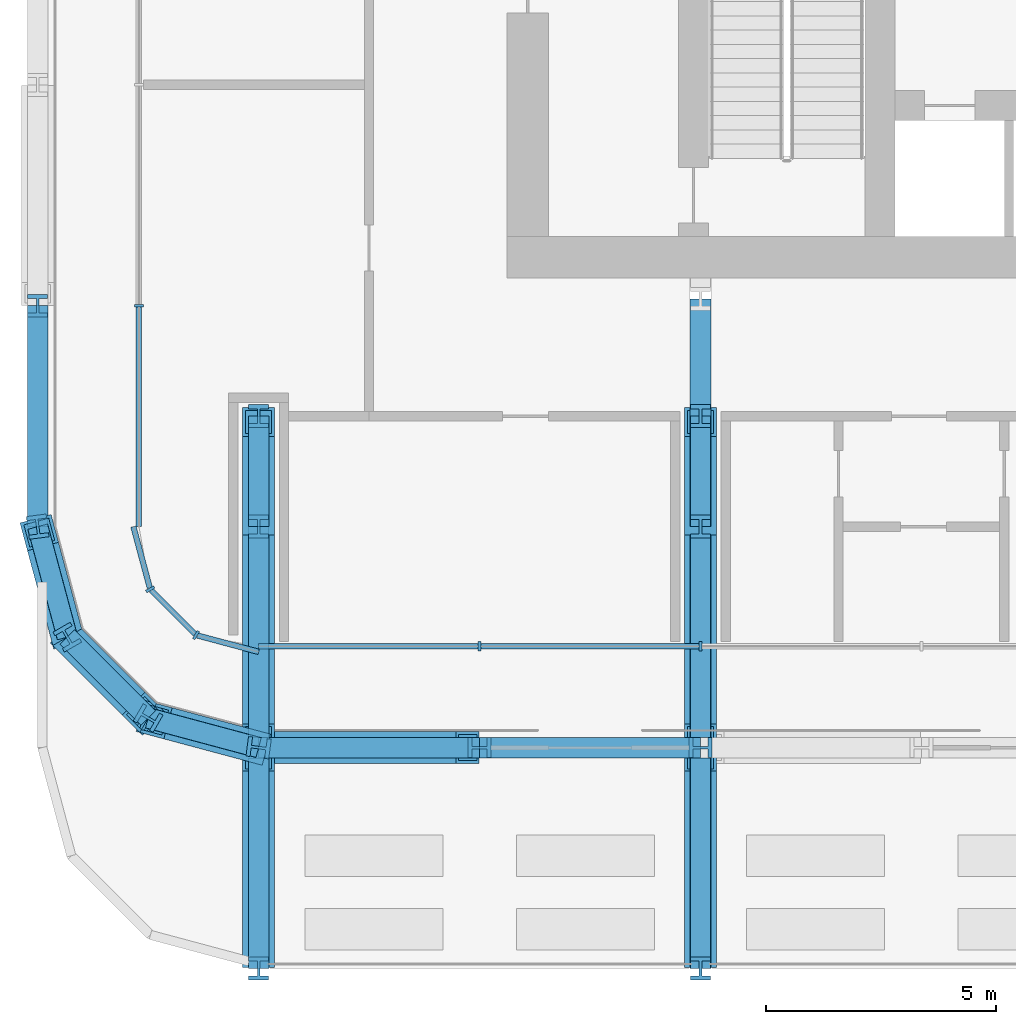
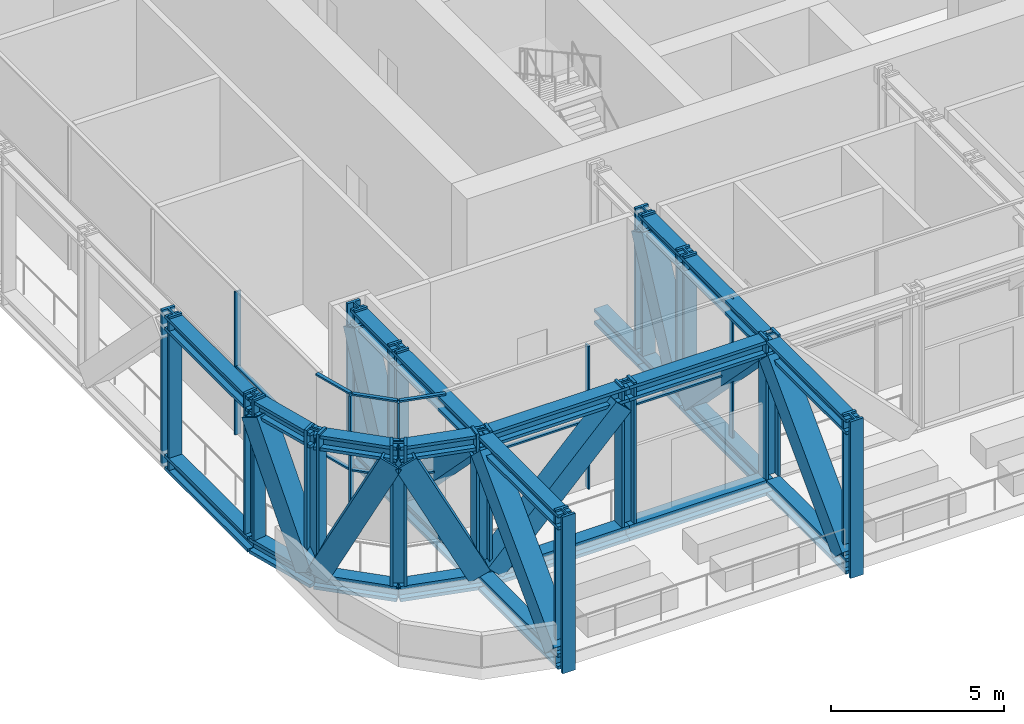
# One storey, part 1 of 23: 62 members, 3 elements without a shape of their own.
"""IFC4 building model written with IfcOpenShell, lengths in metres."""

from ifc_helpers import new_model, si_unit, direction, frame, origin, origin_2d, place, context, subcontext, project, spatial, rectangle, hollow_rectangle, i_section, extrude, material, layer, layer_set, material_profile, profile_set, type_object, element, aggregate, save


model = new_model("IFC4")

# Units and contexts
model_context = context("Model", 3, precision=1e-05, world=origin(), true_north=direction((0.0, 1.0)))
body_context = subcontext(model_context, "Body", "Model", "MODEL_VIEW")
ifc_project = project(units=[si_unit("LENGTHUNIT", "METRE"), si_unit("AREAUNIT", "SQUARE_METRE"), si_unit("VOLUMEUNIT", "CUBIC_METRE"), si_unit("PLANEANGLEUNIT", "RADIAN"), si_unit("MASSUNIT", "GRAM", prefix="KILO")], contexts=[model_context])

# Site, building, storey
site_placement = place(None, origin())
site = spatial("IfcSite", under=ifc_project, at=site_placement, CompositionType="ELEMENT")
building_placement = place(site_placement, origin())
building = spatial("IfcBuilding", under=site, at=building_placement, Name="Madar Terraces", CompositionType="ELEMENT")
storey_placement = place(building_placement, frame((0.0, 0.0, 83.800048828125)))
storey = spatial("IfcBuildingStorey", under=building, at=storey_placement, Name="L21", CompositionType="ELEMENT", Elevation=83.800048828125)

# Members
ifc_material_1 = material(Name="Steel ASTM A913 Grade 65", Category="steel")
ifc_material_profile_1 = material_profile(ifc_material_1, i_section(OverallWidth=0.449462890625, OverallDepth=0.548583984375, WebThickness=0.07177734375, FlangeThickness=0.11474609375, at=origin_2d()), Name="W14x665")
ifc_profile_set_1 = profile_set([ifc_material_profile_1], Name="Steel ASTM A913 Grade 65")
member_type_1 = type_object("IfcMemberType", Name="BC3 W14x665", PredefinedType="CHORD", material=ifc_profile_set_1)
member_1_placement = place(storey_placement, frame((9.60009765625, 4.800048828125, -0.145751953125), z_axis=(1.0, 0.0, 0.0), x_axis=(0.0, 1.0, 0.0)))
element("IfcMember", 1, at=member_1_placement, inside=storey, type_object=member_type_1, Name="Exoskeleton truss ring bottom chord BC3", PredefinedType="CHORD", context=body_context, shape_type="SweptSolid", body=[
    extrude(i_section(OverallWidth=0.449462890625, OverallDepth=0.548583984375, WebThickness=0.07177734375, FlangeThickness=0.11474609375, at=origin_2d()), origin(), (0.0, 0.0, 1.0), 4.7998046875),
])
member_2_placement = place(storey_placement, frame((14.39990234375, 4.800048828125, -0.145751953125), z_axis=(1.0, 0.0, 0.0), x_axis=(0.0, 1.0, 0.0)))
element("IfcMember", 2, at=member_2_placement, inside=storey, type_object=member_type_1, Name="Exoskeleton truss ring bottom chord BC3", PredefinedType="CHORD", context=body_context, shape_type="SweptSolid", body=[
    extrude(i_section(OverallWidth=0.449462890625, OverallDepth=0.548583984375, WebThickness=0.07177734375, FlangeThickness=0.11474609375, at=origin_2d()), origin(), (0.0, 0.0, 1.0), 4.800048828125),
])
member_3_placement = place(storey_placement, frame((4.800048828125, 14.39990234375, -0.145751953125), z_axis=(0.0, -1.0, 0.0), x_axis=(1.0, 0.0, 0.0)))
element("IfcMember", 3, at=member_3_placement, inside=storey, type_object=member_type_1, Name="Exoskeleton truss ring bottom chord BC3", PredefinedType="CHORD", context=body_context, shape_type="SweptSolid", body=[
    extrude(i_section(OverallWidth=0.449462890625, OverallDepth=0.548583984375, WebThickness=0.07177734375, FlangeThickness=0.11474609375, at=origin_2d()), origin(), (0.0, 0.0, 1.0), 4.7998046875),
])
member_4_placement = place(storey_placement, frame((4.800048828125, 9.60009765625, -0.145751953125), z_axis=(0.258799930484, -0.965930947833, 0.0), x_axis=(0.965930947833, 0.258799930484, 0.0)))
element("IfcMember", 4, at=member_4_placement, inside=storey, type_object=member_type_1, Name="Exoskeleton truss ring bottom chord BC3", PredefinedType="CHORD", context=body_context, shape_type="SweptSolid", body=[
    extrude(i_section(OverallWidth=0.449462890625, OverallDepth=0.548583984375, WebThickness=0.07177734375, FlangeThickness=0.11474609375, at=origin_2d()), origin(), (0.0, 0.0, 1.0), 2.48486328125),
])
member_5_placement = place(storey_placement, frame((5.443115234375, 7.199951171875, -0.145751953125), z_axis=(0.707106781187, -0.707106781187, 0.0), x_axis=(0.707106781187, 0.707106781187, 0.0)))
element("IfcMember", 5, at=member_5_placement, inside=storey, type_object=member_type_1, Name="Exoskeleton truss ring bottom chord BC3", PredefinedType="CHORD", context=body_context, shape_type="SweptSolid", body=[
    extrude(i_section(OverallWidth=0.449462890625, OverallDepth=0.548583984375, WebThickness=0.07177734375, FlangeThickness=0.11474609375, at=origin_2d()), origin(), (0.0, 0.0, 1.0), 2.484619140625),
])
member_6_placement = place(storey_placement, frame((7.199951171875, 5.443115234375, -0.145751953125), z_axis=(0.965930947833, -0.258799930484, 0.0), x_axis=(0.258799930484, 0.965930947833, 0.0)))
element("IfcMember", 6, at=member_6_placement, inside=storey, type_object=member_type_1, Name="Exoskeleton truss ring bottom chord BC3", PredefinedType="CHORD", context=body_context, shape_type="SweptSolid", body=[
    extrude(i_section(OverallWidth=0.449462890625, OverallDepth=0.548583984375, WebThickness=0.07177734375, FlangeThickness=0.11474609375, at=origin_2d()), origin(), (0.0, 0.0, 1.0), 2.48486328125),
])
for number, where, z_axis, x_axis, name in (
    (7, (9.60009765625, 0.0, -0.145751953125), (0.0, 1.0, 0.0), (-1.0, 0.0, 0.0), "Exoskeleton truss cross S9.6 bottom chord BC3"),
    (8, (9.60009765625, 5.02490234375, -0.145751953125), (0.0, 1.0, 0.0), (-1.0, 0.0, 0.0), "Exoskeleton truss cross S9.6 bottom chord BC3"),
):
    element("IfcMember", number, at=place(storey_placement, frame(where, z_axis=z_axis, x_axis=x_axis)), inside=storey, type_object=member_type_1, Name=name, PredefinedType="CHORD", context=body_context, shape_type="SweptSolid", body=[
        extrude(i_section(OverallWidth=0.449462890625, OverallDepth=0.548583984375, WebThickness=0.07177734375, FlangeThickness=0.11474609375, at=origin_2d()), origin(), (0.0, 0.0, 1.0), 4.5751953125),
    ])
member_7_placement = place(storey_placement, frame((9.60009765625, 9.60009765625, -0.145751953125), z_axis=(0.0, 1.0, 0.0), x_axis=(-1.0, 0.0, 0.0)))
element("IfcMember", 9, at=member_7_placement, inside=storey, type_object=member_type_1, Name="Exoskeleton truss cross S9.6 bottom chord BC3", PredefinedType="CHORD", context=body_context, shape_type="SweptSolid", body=[
    extrude(i_section(OverallWidth=0.449462890625, OverallDepth=0.548583984375, WebThickness=0.07177734375, FlangeThickness=0.11474609375, at=origin_2d()), origin(), (0.0, 0.0, 1.0), 2.39990234375),
])
for number, where, z_axis, x_axis, name in (
    (10, (19.199951171875, 0.0, -0.145751953125), (0.0, 1.0, 0.0), (-1.0, 0.0, 0.0), "Exoskeleton truss cross S19.2 bottom chord BC3"),
    (11, (19.199951171875, 5.02490234375, -0.145751953125), (0.0, 1.0, 0.0), (-1.0, 0.0, 0.0), "Exoskeleton truss cross S19.2 bottom chord BC3"),
):
    element("IfcMember", number, at=place(storey_placement, frame(where, z_axis=z_axis, x_axis=x_axis)), inside=storey, type_object=member_type_1, Name=name, PredefinedType="CHORD", context=body_context, shape_type="SweptSolid", body=[
        extrude(i_section(OverallWidth=0.449462890625, OverallDepth=0.548583984375, WebThickness=0.07177734375, FlangeThickness=0.11474609375, at=origin_2d()), origin(), (0.0, 0.0, 1.0), 4.5751953125),
    ])
member_8_placement = place(storey_placement, frame((19.199951171875, 9.60009765625, -0.145751953125), z_axis=(0.0, 1.0, 0.0), x_axis=(-1.0, 0.0, 0.0)))
element("IfcMember", 12, at=member_8_placement, inside=storey, type_object=member_type_1, Name="Exoskeleton truss cross S19.2 bottom chord BC3", PredefinedType="CHORD", context=body_context, shape_type="SweptSolid", body=[
    extrude(i_section(OverallWidth=0.449462890625, OverallDepth=0.548583984375, WebThickness=0.07177734375, FlangeThickness=0.11474609375, at=origin_2d()), origin(), (0.0, 0.0, 1.0), 2.39990234375),
])
member_9_placement = place(storey_placement, frame((19.199951171875, 12.0, -0.145751953125), z_axis=(0.0, 1.0, 0.0), x_axis=(-1.0, 0.0, 0.0)))
element("IfcMember", 13, at=member_9_placement, inside=storey, type_object=member_type_1, Name="Exoskeleton truss cross S19.2 bottom chord BC3", PredefinedType="CHORD", context=body_context, shape_type="SweptSolid", body=[
    extrude(i_section(OverallWidth=0.449462890625, OverallDepth=0.548583984375, WebThickness=0.07177734375, FlangeThickness=0.11474609375, at=origin_2d()), origin(), (0.0, 0.0, 1.0), 2.550048828125),
])

# Curtain wall, members
ifc_material_2 = material(Name="Glass, ceramic frit dark grey, with black aluminium frame", Category="aluminium")
ifc_layer = layer(ifc_material_2, 0.199951171875)
ifc_layer_set = layer_set([ifc_layer], Name="Facade curtain wall, tall glazing")
curtain_wall_type = type_object("IfcCurtainWallType", Name="Facade curtain wall, tall glazing", PredefinedType="NOTDEFINED", material=ifc_layer_set)
curtain_wall_1_placement = place(storey_placement, origin())
curtain_wall_1 = element("IfcCurtainWall", 14, at=curtain_wall_1_placement, inside=storey, type_object=curtain_wall_type, Name="Outer skin curtain wall south bay 1", PredefinedType="NOTDEFINED")
ifc_material_3 = material(Name="Aluminium, black anodised", Category="aluminium")
ifc_material_profile_2 = material_profile(ifc_material_3, rectangle(XDim=0.199951171875, YDim=0.06005859375, at=origin_2d()), Name="Facade mullion 60x200")
ifc_profile_set_2 = profile_set([ifc_material_profile_2], Name="Aluminium, black anodised")
member_type_2 = type_object("IfcMemberType", Name="Facade mullion 60x200", PredefinedType="MULLION", material=ifc_profile_set_2)
member_10_placement = place(storey_placement, frame((14.39990234375, 7.0, 0.0), z_axis=(0.0, 0.0, 1.0), x_axis=(0.0, 1.0, 0.0)))
member_10 = element("IfcMember", 15, at=member_10_placement, type_object=member_type_2, Name="Mullion 1", PredefinedType="MULLION", context=body_context, shape_type="SweptSolid", body=[
    extrude(rectangle(XDim=0.199951171875, YDim=0.06005859375, at=origin_2d()), origin(), (0.0, 0.0, 1.0), 5.0400390625),
])
member_11_placement = place(storey_placement, frame((19.199951171875, 7.0, 0.0), z_axis=(0.0, 0.0, 1.0), x_axis=(0.0, 1.0, 0.0)))
member_11 = element("IfcMember", 16, at=member_11_placement, type_object=member_type_2, Name="Mullion 2", PredefinedType="MULLION", context=body_context, shape_type="SweptSolid", body=[
    extrude(rectangle(XDim=0.199951171875, YDim=0.06005859375, at=origin_2d()), origin(), (0.0, 0.0, 1.0), 5.0400390625),
])

# Curtain wall, member
curtain_wall_2_placement = place(storey_placement, origin())
curtain_wall_2 = element("IfcCurtainWall", 17, at=curtain_wall_2_placement, inside=storey, type_object=curtain_wall_type, Name="Outer skin curtain wall west bay 1", PredefinedType="NOTDEFINED")
member_12_placement = place(storey_placement, frame((7.0, 14.39990234375, 0.0), z_axis=(0.0, 0.0, 1.0), x_axis=(1.0, 0.0, 0.0)))
member_12 = element("IfcMember", 18, at=member_12_placement, type_object=member_type_2, Name="Mullion 7", PredefinedType="MULLION", context=body_context, shape_type="SweptSolid", body=[
    extrude(rectangle(XDim=0.199951171875, YDim=0.06005859375, at=origin_2d()), origin(), (0.0, 0.0, 1.0), 5.0400390625),
])

# Curtain wall, members
curtain_wall_3_placement = place(storey_placement, origin())
curtain_wall_3 = element("IfcCurtainWall", 19, at=curtain_wall_3_placement, inside=storey, type_object=curtain_wall_type, Name="Outer skin curtain wall south-west corner", PredefinedType="NOTDEFINED")
member_13_placement = place(storey_placement, frame((7.244384765625, 8.239990234375, 0.0), z_axis=(0.0, 0.0, 1.0), x_axis=(0.866025386925, 0.500000029202, 0.0)))
member_13 = element("IfcMember", 20, at=member_13_placement, type_object=member_type_2, Name="Mullion 1", PredefinedType="MULLION", context=body_context, shape_type="SweptSolid", body=[
    extrude(rectangle(XDim=0.199951171875, YDim=0.06005859375, at=origin_2d()), origin(), (0.0, 0.0, 1.0), 5.0400390625),
])
member_14_placement = place(storey_placement, frame((8.239990234375, 7.244384765625, 0.0), z_axis=(0.0, 0.0, 1.0), x_axis=(0.500000029202, 0.866025386925, 0.0)))
member_14 = element("IfcMember", 21, at=member_14_placement, type_object=member_type_2, Name="Mullion 2", PredefinedType="MULLION", context=body_context, shape_type="SweptSolid", body=[
    extrude(rectangle(XDim=0.199951171875, YDim=0.06005859375, at=origin_2d()), origin(), (0.0, 0.0, 1.0), 5.0400390625),
])

# Member
ifc_material_4 = material(Name="Aluminium, black anodised", Category="aluminium")
ifc_material_profile_3 = material_profile(ifc_material_4, rectangle(XDim=0.1201171875, YDim=0.06005859375, at=origin_2d()), Name="Facade transom 60x120")
ifc_profile_set_3 = profile_set([ifc_material_profile_3], Name="Aluminium, black anodised")
member_type_3 = type_object("IfcMemberType", Name="Facade transom 60x120", PredefinedType="USERDEFINED", material=ifc_profile_set_3)
member_15_placement = place(storey_placement, frame((9.60009765625, 7.0, 2.39990234375), z_axis=(1.0, 0.0, 0.0), x_axis=(0.0, 1.0, 0.0)))
member_15 = element("IfcMember", 22, at=member_15_placement, type_object=member_type_3, Name="Transom 2", ObjectType="TRANSOM", PredefinedType="USERDEFINED", context=body_context, shape_type="SweptSolid", body=[
    extrude(rectangle(XDim=0.1201171875, YDim=0.06005859375, at=origin_2d()), origin(), (0.0, 0.0, 1.0), 4.77001953125),
])

member_16_placement = place(storey_placement, frame((14.429931640625, 7.0, 2.39990234375), z_axis=(1.0, 0.0, 0.0), x_axis=(0.0, 1.0, 0.0)))
member_16 = element("IfcMember", 23, at=member_16_placement, type_object=member_type_3, Name="Transom 3", ObjectType="TRANSOM", PredefinedType="USERDEFINED", context=body_context, shape_type="SweptSolid", body=[
    extrude(rectangle(XDim=0.1201171875, YDim=0.06005859375, at=origin_2d()), origin(), (0.0, 0.0, 1.0), 4.739990234375),
])

aggregate(curtain_wall_1, [member_10, member_11, member_15, member_16])

member_17_placement = place(storey_placement, frame((7.0, 14.3701171875, 2.39990234375), z_axis=(0.0, -1.0, 0.0), x_axis=(1.0, 0.0, 0.0)))
member_17 = element("IfcMember", 24, at=member_17_placement, type_object=member_type_3, Name="Transom 9", ObjectType="TRANSOM", PredefinedType="USERDEFINED", context=body_context, shape_type="SweptSolid", body=[
    extrude(rectangle(XDim=0.1201171875, YDim=0.06005859375, at=origin_2d()), origin(), (0.0, 0.0, 1.0), 4.77001953125),
])

aggregate(curtain_wall_2, [member_12, member_17])

member_18_placement = place(storey_placement, frame((6.8798828125, 9.60009765625, 5.070068359375), z_axis=(0.258842352791, -0.965919580711, 0.0), x_axis=(0.965919580711, 0.258842352791, 0.0)))
member_18 = element("IfcMember", 25, at=member_18_placement, type_object=member_type_3, Name="Transom 1", ObjectType="TRANSOM", PredefinedType="USERDEFINED", context=body_context, shape_type="SweptSolid", body=[
    extrude(rectangle(XDim=0.1201171875, YDim=0.06005859375, at=origin_2d()), origin(), (0.0, 0.0, 1.0), 1.3779296875),
])

member_19_placement = place(storey_placement, frame((6.8798828125, 9.60009765625, 2.39990234375), z_axis=(0.258842352791, -0.965919580711, 0.0), x_axis=(0.965919580711, 0.258842352791, 0.0)))
member_19 = element("IfcMember", 26, at=member_19_placement, type_object=member_type_3, Name="Transom 2", ObjectType="TRANSOM", PredefinedType="USERDEFINED", context=body_context, shape_type="SweptSolid", body=[
    extrude(rectangle(XDim=0.1201171875, YDim=0.06005859375, at=origin_2d()), origin(), (0.0, 0.0, 1.0), 1.3779296875),
])

member_20_placement = place(storey_placement, frame((7.265625, 8.21875, 5.070068359375), z_axis=(0.707106781187, -0.707106781187, 0.0), x_axis=(0.707106781187, 0.707106781187, 0.0)))
member_20 = element("IfcMember", 27, at=member_20_placement, type_object=member_type_3, Name="Transom 3", ObjectType="TRANSOM", PredefinedType="USERDEFINED", context=body_context, shape_type="SweptSolid", body=[
    extrude(rectangle(XDim=0.1201171875, YDim=0.06005859375, at=origin_2d()), origin(), (0.0, 0.0, 1.0), 1.347900390625),
])

member_21_placement = place(storey_placement, frame((7.265625, 8.21875, 2.39990234375), z_axis=(0.707106781187, -0.707106781187, 0.0), x_axis=(0.707106781187, 0.707106781187, 0.0)))
member_21 = element("IfcMember", 28, at=member_21_placement, type_object=member_type_3, Name="Transom 4", ObjectType="TRANSOM", PredefinedType="USERDEFINED", context=body_context, shape_type="SweptSolid", body=[
    extrude(rectangle(XDim=0.1201171875, YDim=0.06005859375, at=origin_2d()), origin(), (0.0, 0.0, 1.0), 1.347900390625),
])

member_22_placement = place(storey_placement, frame((8.26904296875, 7.236572265625, 5.070068359375), z_axis=(0.965919580711, -0.258842352791, 0.0), x_axis=(0.258842352791, 0.965919580711, 0.0)))
member_22 = element("IfcMember", 29, at=member_22_placement, type_object=member_type_3, Name="Transom 5", ObjectType="TRANSOM", PredefinedType="USERDEFINED", context=body_context, shape_type="SweptSolid", body=[
    extrude(rectangle(XDim=0.1201171875, YDim=0.06005859375, at=origin_2d()), origin(), (0.0, 0.0, 1.0), 1.3779296875),
])

member_23_placement = place(storey_placement, frame((8.26904296875, 7.236572265625, 2.39990234375), z_axis=(0.965919580711, -0.258842352791, 0.0), x_axis=(0.258842352791, 0.965919580711, 0.0)))
member_23 = element("IfcMember", 30, at=member_23_placement, type_object=member_type_3, Name="Transom 6", ObjectType="TRANSOM", PredefinedType="USERDEFINED", context=body_context, shape_type="SweptSolid", body=[
    extrude(rectangle(XDim=0.1201171875, YDim=0.06005859375, at=origin_2d()), origin(), (0.0, 0.0, 1.0), 1.3779296875),
])

aggregate(curtain_wall_3, [member_13, member_18, member_19, member_14, member_20, member_21, member_22, member_23])

# Members
ifc_material_5 = material(Name="Steel ASTM A913 Grade 65", Category="steel")
ifc_material_profile_4 = material_profile(ifc_material_5, i_section(OverallWidth=0.44189453125, OverallDepth=0.53076171875, WebThickness=0.06591796875, FlangeThickness=0.105712890625, at=origin_2d()), Name="W14x605")
ifc_profile_set_4 = profile_set([ifc_material_profile_4], Name="Steel ASTM A913 Grade 65")
member_type_4 = type_object("IfcMemberType", Name="TC3 W14x605", PredefinedType="CHORD", material=ifc_profile_set_4)
member_24_placement = place(storey_placement, frame((9.60009765625, 4.800048828125, 4.764404296875), z_axis=(1.0, 0.0, 0.0), x_axis=(0.0, 1.0, 0.0)))
element("IfcMember", 31, at=member_24_placement, inside=storey, type_object=member_type_4, Name="Exoskeleton truss ring top chord TC3", PredefinedType="CHORD", context=body_context, shape_type="SweptSolid", body=[
    extrude(i_section(OverallWidth=0.44189453125, OverallDepth=0.53076171875, WebThickness=0.06591796875, FlangeThickness=0.105712890625, at=origin_2d()), origin(), (0.0, 0.0, 1.0), 4.7998046875),
])
member_25_placement = place(storey_placement, frame((14.39990234375, 4.800048828125, 4.764404296875), z_axis=(1.0, 0.0, 0.0), x_axis=(0.0, 1.0, 0.0)))
element("IfcMember", 32, at=member_25_placement, inside=storey, type_object=member_type_4, Name="Exoskeleton truss ring top chord TC3", PredefinedType="CHORD", context=body_context, shape_type="SweptSolid", body=[
    extrude(i_section(OverallWidth=0.44189453125, OverallDepth=0.53076171875, WebThickness=0.06591796875, FlangeThickness=0.105712890625, at=origin_2d()), origin(), (0.0, 0.0, 1.0), 4.800048828125),
])
member_26_placement = place(storey_placement, frame((4.800048828125, 14.39990234375, 4.764404296875), z_axis=(0.0, -1.0, 0.0), x_axis=(1.0, 0.0, 0.0)))
element("IfcMember", 33, at=member_26_placement, inside=storey, type_object=member_type_4, Name="Exoskeleton truss ring top chord TC3", PredefinedType="CHORD", context=body_context, shape_type="SweptSolid", body=[
    extrude(i_section(OverallWidth=0.44189453125, OverallDepth=0.53076171875, WebThickness=0.06591796875, FlangeThickness=0.105712890625, at=origin_2d()), origin(), (0.0, 0.0, 1.0), 4.7998046875),
])
member_27_placement = place(storey_placement, frame((4.800048828125, 9.60009765625, 4.764404296875), z_axis=(0.258799930484, -0.965930947833, 0.0), x_axis=(0.965930947833, 0.258799930484, 0.0)))
element("IfcMember", 34, at=member_27_placement, inside=storey, type_object=member_type_4, Name="Exoskeleton truss ring top chord TC3", PredefinedType="CHORD", context=body_context, shape_type="SweptSolid", body=[
    extrude(i_section(OverallWidth=0.44189453125, OverallDepth=0.53076171875, WebThickness=0.06591796875, FlangeThickness=0.105712890625, at=origin_2d()), origin(), (0.0, 0.0, 1.0), 2.48486328125),
])
member_28_placement = place(storey_placement, frame((5.443115234375, 7.199951171875, 4.764404296875), z_axis=(0.707106781187, -0.707106781187, 0.0), x_axis=(0.707106781187, 0.707106781187, 0.0)))
element("IfcMember", 35, at=member_28_placement, inside=storey, type_object=member_type_4, Name="Exoskeleton truss ring top chord TC3", PredefinedType="CHORD", context=body_context, shape_type="SweptSolid", body=[
    extrude(i_section(OverallWidth=0.44189453125, OverallDepth=0.53076171875, WebThickness=0.06591796875, FlangeThickness=0.105712890625, at=origin_2d()), origin(), (0.0, 0.0, 1.0), 2.484619140625),
])
member_29_placement = place(storey_placement, frame((7.199951171875, 5.443115234375, 4.764404296875), z_axis=(0.965930947833, -0.258799930484, 0.0), x_axis=(0.258799930484, 0.965930947833, 0.0)))
element("IfcMember", 36, at=member_29_placement, inside=storey, type_object=member_type_4, Name="Exoskeleton truss ring top chord TC3", PredefinedType="CHORD", context=body_context, shape_type="SweptSolid", body=[
    extrude(i_section(OverallWidth=0.44189453125, OverallDepth=0.53076171875, WebThickness=0.06591796875, FlangeThickness=0.105712890625, at=origin_2d()), origin(), (0.0, 0.0, 1.0), 2.48486328125),
])
for number, where, z_axis, x_axis, name in (
    (37, (9.60009765625, 0.0, 4.764404296875), (0.0, 1.0, 0.0), (-1.0, 0.0, 0.0), "Exoskeleton truss cross S9.6 top chord TC3"),
    (38, (9.60009765625, 5.02099609375, 4.764404296875), (0.0, 1.0, 0.0), (-1.0, 0.0, 0.0), "Exoskeleton truss cross S9.6 top chord TC3"),
):
    element("IfcMember", number, at=place(storey_placement, frame(where, z_axis=z_axis, x_axis=x_axis)), inside=storey, type_object=member_type_4, Name=name, PredefinedType="CHORD", context=body_context, shape_type="SweptSolid", body=[
        extrude(i_section(OverallWidth=0.44189453125, OverallDepth=0.53076171875, WebThickness=0.06591796875, FlangeThickness=0.105712890625, at=origin_2d()), origin(), (0.0, 0.0, 1.0), 4.5791015625),
    ])
member_30_placement = place(storey_placement, frame((9.60009765625, 9.60009765625, 4.764404296875), z_axis=(0.0, 1.0, 0.0), x_axis=(-1.0, 0.0, 0.0)))
element("IfcMember", 39, at=member_30_placement, inside=storey, type_object=member_type_4, Name="Exoskeleton truss cross S9.6 top chord TC3", PredefinedType="CHORD", context=body_context, shape_type="SweptSolid", body=[
    extrude(i_section(OverallWidth=0.44189453125, OverallDepth=0.53076171875, WebThickness=0.06591796875, FlangeThickness=0.105712890625, at=origin_2d()), origin(), (0.0, 0.0, 1.0), 2.39990234375),
])
for number, where, z_axis, x_axis, name in (
    (40, (19.199951171875, 0.0, 4.764404296875), (0.0, 1.0, 0.0), (-1.0, 0.0, 0.0), "Exoskeleton truss cross S19.2 top chord TC3"),
    (41, (19.199951171875, 5.02099609375, 4.764404296875), (0.0, 1.0, 0.0), (-1.0, 0.0, 0.0), "Exoskeleton truss cross S19.2 top chord TC3"),
):
    element("IfcMember", number, at=place(storey_placement, frame(where, z_axis=z_axis, x_axis=x_axis)), inside=storey, type_object=member_type_4, Name=name, PredefinedType="CHORD", context=body_context, shape_type="SweptSolid", body=[
        extrude(i_section(OverallWidth=0.44189453125, OverallDepth=0.53076171875, WebThickness=0.06591796875, FlangeThickness=0.105712890625, at=origin_2d()), origin(), (0.0, 0.0, 1.0), 4.5791015625),
    ])
member_31_placement = place(storey_placement, frame((19.199951171875, 9.60009765625, 4.764404296875), z_axis=(0.0, 1.0, 0.0), x_axis=(-1.0, 0.0, 0.0)))
element("IfcMember", 42, at=member_31_placement, inside=storey, type_object=member_type_4, Name="Exoskeleton truss cross S19.2 top chord TC3", PredefinedType="CHORD", context=body_context, shape_type="SweptSolid", body=[
    extrude(i_section(OverallWidth=0.44189453125, OverallDepth=0.53076171875, WebThickness=0.06591796875, FlangeThickness=0.105712890625, at=origin_2d()), origin(), (0.0, 0.0, 1.0), 2.39990234375),
])
ifc_material_6 = material(Name="Steel ASTM A572 Grade 50", Category="steel")
ifc_material_profile_5 = material_profile(ifc_material_6, hollow_rectangle(XDim=0.699951171875, YDim=0.699951171875, WallThickness=0.070068359375, at=origin_2d()), Name="BOX700x700x70")
ifc_profile_set_5 = profile_set([ifc_material_profile_5], Name="Steel ASTM A572 Grade 50")
member_type_5 = type_object("IfcMemberType", Name="TD3 BOX700x700x70", PredefinedType="BRACE", material=ifc_profile_set_5)
member_32_placement = place(storey_placement, frame((9.8681640625, 4.800048828125, 0.128662109375), z_axis=(0.699052279579, 0.0, 0.715070563242), x_axis=(0.0, 1.0, 0.0)))
element("IfcMember", 43, at=member_32_placement, inside=storey, type_object=member_type_5, Name="Exoskeleton truss ring diagonal TD3", PredefinedType="BRACE", context=body_context, shape_type="SweptSolid", body=[
    extrude(hollow_rectangle(XDim=0.699951171875, YDim=0.699951171875, WallThickness=0.070068359375, at=origin_2d()), origin(), (0.0, 0.0, 1.0), 6.11181640625),
])
member_33_placement = place(storey_placement, frame((4.834716796875, 9.47021484375, 4.4990234375), z_axis=(0.116884238668, -0.436135218911, -0.892257891854), x_axis=(0.965913556274, 0.258864833081, 0.0)))
element("IfcMember", 44, at=member_33_placement, inside=storey, type_object=member_type_5, Name="Exoskeleton truss ring diagonal TD3", PredefinedType="BRACE", context=body_context, shape_type="SweptSolid", body=[
    extrude(hollow_rectangle(XDim=0.699951171875, YDim=0.699951171875, WallThickness=0.070068359375, at=origin_2d()), origin(), (0.0, 0.0, 1.0), 4.898193359375),
])
for number, where, z_axis, x_axis, name in (
    (45, (5.541259765625, 7.101806640625, 0.128662109375), (0.319256324264, -0.319256324264, 0.892272827579), (0.707106781187, 0.707106781187, 0.0), "Exoskeleton truss ring diagonal TD3"),
    (46, (7.329833984375, 5.408203125, 4.4990234375), (0.436097394869, -0.116837614993, -0.89228248549), (0.258789431392, 0.965933760772, 0.0), "Exoskeleton truss ring diagonal TD3"),
):
    element("IfcMember", number, at=place(storey_placement, frame(where, z_axis=z_axis, x_axis=x_axis)), inside=storey, type_object=member_type_5, Name=name, PredefinedType="BRACE", context=body_context, shape_type="SweptSolid", body=[
        extrude(hollow_rectangle(XDim=0.699951171875, YDim=0.699951171875, WallThickness=0.070068359375, at=origin_2d()), origin(), (0.0, 0.0, 1.0), 4.89794921875),
    ])
member_34_placement = place(storey_placement, frame((9.60009765625, 0.26806640625, 0.128662109375), z_axis=(0.0, 0.699052279579, 0.715070563242), x_axis=(-1.0, 0.0, 0.0)))
element("IfcMember", 47, at=member_34_placement, inside=storey, type_object=member_type_5, Name="Exoskeleton truss cross S9.6 diagonal TD3", PredefinedType="BRACE", context=body_context, shape_type="SweptSolid", body=[
    extrude(hollow_rectangle(XDim=0.699951171875, YDim=0.699951171875, WallThickness=0.070068359375, at=origin_2d()), origin(), (0.0, 0.0, 1.0), 6.11181640625),
])
member_35_placement = place(storey_placement, frame((9.60009765625, 5.0595703125, 4.4990234375), z_axis=(0.0, 0.699031853378, -0.715090531306), x_axis=(-1.0, 0.0, 0.0)))
element("IfcMember", 48, at=member_35_placement, inside=storey, type_object=member_type_5, Name="Exoskeleton truss cross S9.6 diagonal TD3", PredefinedType="BRACE", context=body_context, shape_type="SweptSolid", body=[
    extrude(hollow_rectangle(XDim=0.699951171875, YDim=0.699951171875, WallThickness=0.070068359375, at=origin_2d()), origin(), (0.0, 0.0, 1.0), 6.111572265625),
])
member_36_placement = place(storey_placement, frame((9.60009765625, 9.734130859375, 0.128662109375), z_axis=(0.0, 0.439145320484, 0.898416043655), x_axis=(-1.0, 0.0, 0.0)))
element("IfcMember", 49, at=member_36_placement, inside=storey, type_object=member_type_5, Name="Exoskeleton truss cross S9.6 diagonal TD3", PredefinedType="BRACE", context=body_context, shape_type="SweptSolid", body=[
    extrude(hollow_rectangle(XDim=0.699951171875, YDim=0.699951171875, WallThickness=0.070068359375, at=origin_2d()), origin(), (0.0, 0.0, 1.0), 4.864501953125),
])
member_37_placement = place(storey_placement, frame((19.199951171875, 0.26806640625, 0.128662109375), z_axis=(0.0, 0.699052279579, 0.715070563242), x_axis=(-1.0, 0.0, 0.0)))
element("IfcMember", 50, at=member_37_placement, inside=storey, type_object=member_type_5, Name="Exoskeleton truss cross S19.2 diagonal TD3", PredefinedType="BRACE", context=body_context, shape_type="SweptSolid", body=[
    extrude(hollow_rectangle(XDim=0.699951171875, YDim=0.699951171875, WallThickness=0.070068359375, at=origin_2d()), origin(), (0.0, 0.0, 1.0), 6.11181640625),
])
member_38_placement = place(storey_placement, frame((19.199951171875, 5.0595703125, 4.4990234375), z_axis=(0.0, 0.699031853378, -0.715090531306), x_axis=(-1.0, 0.0, 0.0)))
element("IfcMember", 51, at=member_38_placement, inside=storey, type_object=member_type_5, Name="Exoskeleton truss cross S19.2 diagonal TD3", PredefinedType="BRACE", context=body_context, shape_type="SweptSolid", body=[
    extrude(hollow_rectangle(XDim=0.699951171875, YDim=0.699951171875, WallThickness=0.070068359375, at=origin_2d()), origin(), (0.0, 0.0, 1.0), 6.111572265625),
])
member_39_placement = place(storey_placement, frame((19.199951171875, 9.734130859375, 0.128662109375), z_axis=(0.0, 0.439145320484, 0.898416043655), x_axis=(-1.0, 0.0, 0.0)))
element("IfcMember", 52, at=member_39_placement, inside=storey, type_object=member_type_5, Name="Exoskeleton truss cross S19.2 diagonal TD3", PredefinedType="BRACE", context=body_context, shape_type="SweptSolid", body=[
    extrude(hollow_rectangle(XDim=0.699951171875, YDim=0.699951171875, WallThickness=0.070068359375, at=origin_2d()), origin(), (0.0, 0.0, 1.0), 4.864501953125),
])
ifc_material_7 = material(Name="Steel ASTM A913 Grade 65", Category="steel")
ifc_material_profile_6 = material_profile(ifc_material_7, i_section(OverallWidth=0.431884765625, OverallDepth=0.497802734375, WebThickness=0.0556640625, FlangeThickness=0.0888671875, at=origin_2d()), Name="W14x500")
ifc_profile_set_6 = profile_set([ifc_material_profile_6], Name="Steel ASTM A913 Grade 65")
member_type_6 = type_object("IfcMemberType", Name="TV3 W14x500", PredefinedType="POST", material=ifc_profile_set_6)
for number, where, z_axis, x_axis, name in (
    (53, (9.60009765625, 4.800048828125, 0.128662109375), (0.0, 0.0, 1.0), (0.130526174916, 0.991444863652, 0.0), "Exoskeleton truss ring post TV3"),
    (54, (14.39990234375, 4.800048828125, 0.128662109375), (0.0, 0.0, 1.0), (0.0, 1.0, 0.0), "Exoskeleton truss ring post TV3"),
    (55, (19.199951171875, 4.800048828125, 0.128662109375), (0.0, 0.0, 1.0), (0.0, 1.0, 0.0), "Exoskeleton truss ring post TV3"),
):
    element("IfcMember", number, at=place(storey_placement, frame(where, z_axis=z_axis, x_axis=x_axis)), inside=storey, type_object=member_type_6, Name=name, PredefinedType="POST", context=body_context, shape_type="SweptSolid", body=[
        extrude(i_section(OverallWidth=0.431884765625, OverallDepth=0.497802734375, WebThickness=0.0556640625, FlangeThickness=0.0888671875, at=origin_2d()), origin(), (0.0, 0.0, 1.0), 4.97119140625),
    ])
member_40_placement = place(storey_placement, frame((4.800048828125, 14.39990234375, -0.420166015625), z_axis=(0.0, 0.0, 1.0), x_axis=(1.0, 0.0, 0.0)))
element("IfcMember", 56, at=member_40_placement, inside=storey, type_object=member_type_6, Name="Exoskeleton truss ring post TV3", PredefinedType="POST", context=body_context, shape_type="SweptSolid", body=[
    extrude(i_section(OverallWidth=0.431884765625, OverallDepth=0.497802734375, WebThickness=0.0556640625, FlangeThickness=0.0888671875, at=origin_2d()), origin(), (0.0, 0.0, 1.0), 5.52001953125),
])
for number, where, z_axis, x_axis, name in (
    (57, (4.800048828125, 9.60009765625, 0.128662109375), (0.0, 0.0, 1.0), (0.991444863652, 0.130526174916, 0.0), "Exoskeleton truss ring post TV3"),
    (58, (5.443115234375, 7.199951171875, 0.128662109375), (0.0, 0.0, 1.0), (0.866025412511, 0.499999984885, 0.0), "Exoskeleton truss ring post TV3"),
    (59, (7.199951171875, 5.443115234375, 0.128662109375), (0.0, 0.0, 1.0), (0.499999984885, 0.866025412511, 0.0), "Exoskeleton truss ring post TV3"),
):
    element("IfcMember", number, at=place(storey_placement, frame(where, z_axis=z_axis, x_axis=x_axis)), inside=storey, type_object=member_type_6, Name=name, PredefinedType="POST", context=body_context, shape_type="SweptSolid", body=[
        extrude(i_section(OverallWidth=0.431884765625, OverallDepth=0.497802734375, WebThickness=0.0556640625, FlangeThickness=0.0888671875, at=origin_2d()), origin(), (0.0, 0.0, 1.0), 4.97119140625),
    ])
member_41_placement = place(storey_placement, frame((9.60009765625, 0.0, -0.420166015625), z_axis=(0.0, 0.0, 1.0), x_axis=(-1.0, 0.0, 0.0)))
element("IfcMember", 60, at=member_41_placement, inside=storey, type_object=member_type_6, Name="Exoskeleton truss cross S9.6 post TV3", PredefinedType="POST", context=body_context, shape_type="SweptSolid", body=[
    extrude(i_section(OverallWidth=0.431884765625, OverallDepth=0.497802734375, WebThickness=0.0556640625, FlangeThickness=0.0888671875, at=origin_2d()), origin(), (0.0, 0.0, 1.0), 5.52001953125),
])
for number, where, z_axis, x_axis, name in (
    (61, (9.60009765625, 9.60009765625, 0.128662109375), (0.0, 0.0, 1.0), (-1.0, 0.0, 0.0), "Exoskeleton truss cross S9.6 post TV3"),
    (62, (9.60009765625, 12.0, 0.128662109375), (0.0, 0.0, 1.0), (-1.0, 0.0, 0.0), "Exoskeleton truss cross S9.6 post TV3"),
):
    element("IfcMember", number, at=place(storey_placement, frame(where, z_axis=z_axis, x_axis=x_axis)), inside=storey, type_object=member_type_6, Name=name, PredefinedType="POST", context=body_context, shape_type="SweptSolid", body=[
        extrude(i_section(OverallWidth=0.431884765625, OverallDepth=0.497802734375, WebThickness=0.0556640625, FlangeThickness=0.0888671875, at=origin_2d()), origin(), (0.0, 0.0, 1.0), 4.97119140625),
    ])
member_42_placement = place(storey_placement, frame((19.199951171875, 0.0, -0.420166015625), z_axis=(0.0, 0.0, 1.0), x_axis=(-1.0, 0.0, 0.0)))
element("IfcMember", 63, at=member_42_placement, inside=storey, type_object=member_type_6, Name="Exoskeleton truss cross S19.2 post TV3", PredefinedType="POST", context=body_context, shape_type="SweptSolid", body=[
    extrude(i_section(OverallWidth=0.431884765625, OverallDepth=0.497802734375, WebThickness=0.0556640625, FlangeThickness=0.0888671875, at=origin_2d()), origin(), (0.0, 0.0, 1.0), 5.52001953125),
])
for number, where, z_axis, x_axis, name in (
    (64, (19.199951171875, 9.60009765625, 0.128662109375), (0.0, 0.0, 1.0), (-1.0, 0.0, 0.0), "Exoskeleton truss cross S19.2 post TV3"),
    (65, (19.199951171875, 12.0, 0.128662109375), (0.0, 0.0, 1.0), (-1.0, 0.0, 0.0), "Exoskeleton truss cross S19.2 post TV3"),
):
    element("IfcMember", number, at=place(storey_placement, frame(where, z_axis=z_axis, x_axis=x_axis)), inside=storey, type_object=member_type_6, Name=name, PredefinedType="POST", context=body_context, shape_type="SweptSolid", body=[
        extrude(i_section(OverallWidth=0.431884765625, OverallDepth=0.497802734375, WebThickness=0.0556640625, FlangeThickness=0.0888671875, at=origin_2d()), origin(), (0.0, 0.0, 1.0), 4.97119140625),
    ])

save(model, "model.ifc")
